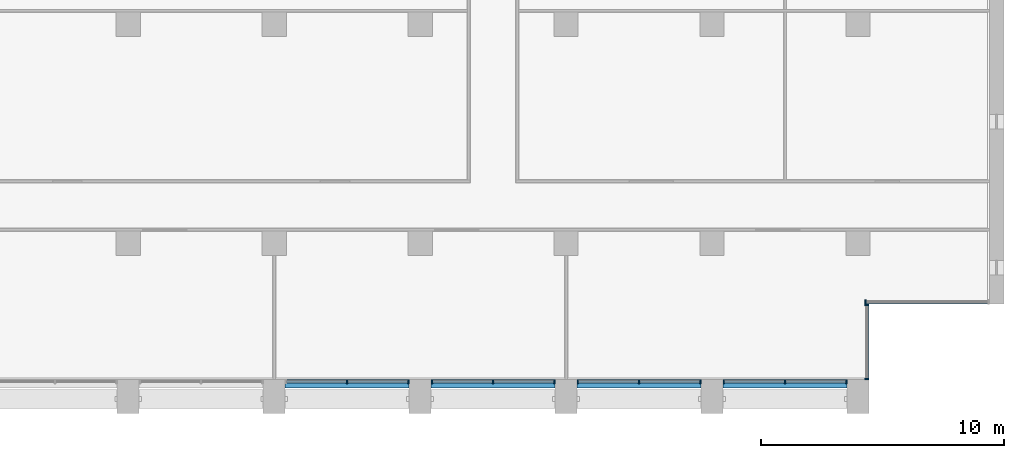
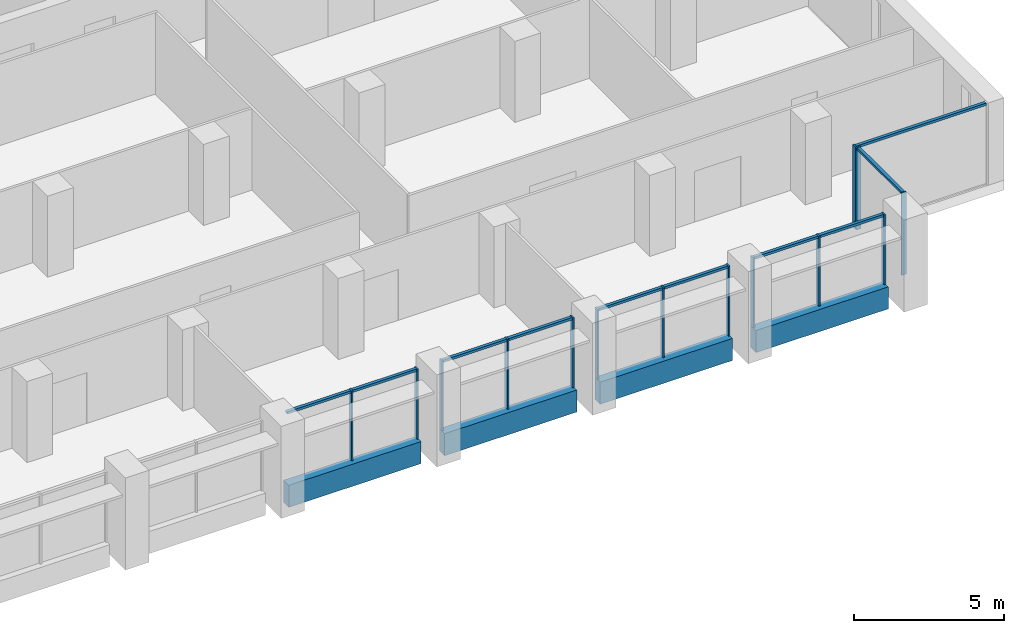
# One storey, part 3 of 17: 24 members, 4 beams, 6 elements without a shape of their own.
"""IFC4 building model written with IfcOpenShell, lengths in metres."""

from ifc_helpers import new_model, si_unit, direction, frame, origin, origin_2d, place, context, subcontext, project, spatial, rectangle, extrude, material, material_profile, profile_set, type_object, element, aggregate, save


model = new_model("IFC4")

# Units and contexts
model_context = context("Model", 3, precision=1e-05, world=origin(), true_north=direction((0.0, 1.0)))
body_context = subcontext(model_context, "Body", "Model", "MODEL_VIEW")
ifc_project = project(units=[si_unit("LENGTHUNIT", "METRE"), si_unit("AREAUNIT", "SQUARE_METRE"), si_unit("VOLUMEUNIT", "CUBIC_METRE"), si_unit("PLANEANGLEUNIT", "RADIAN"), si_unit("MASSUNIT", "GRAM", prefix="KILO")], contexts=[model_context])

# Site, building, storey
site_placement = place(None, origin())
site = spatial("IfcSite", under=ifc_project, at=site_placement, CompositionType="ELEMENT")
building_placement = place(site_placement, origin())
building = spatial("IfcBuilding", under=site, at=building_placement, Name="Calvaro Tower", CompositionType="ELEMENT")
storey_placement = place(building_placement, frame((0.0, 0.0, 211.75)))
storey = spatial("IfcBuildingStorey", under=building, at=storey_placement, Name="L53", CompositionType="ELEMENT", Elevation=211.75)

# Curtain wall, members
ifc_material_1 = material(Name="Anodised aluminium", Category="aluminium")
curtain_wall_type = type_object("IfcCurtainWallType", Name="Office curtain wall, upper zone", PredefinedType="NOTDEFINED", material=ifc_material_1)
curtain_wall_1_placement = place(storey_placement, origin())
curtain_wall_1 = element("IfcCurtainWall", 1, at=curtain_wall_1_placement, inside=storey, type_object=curtain_wall_type, Name="CW3 south curtain wall", PredefinedType="NOTDEFINED")
ifc_material_2 = material(Name="Anodised aluminium", Category="aluminium")
ifc_material_profile_1 = material_profile(ifc_material_2, rectangle(XDim=0.179931640625, YDim=0.06005859375, at=origin_2d()), Name="Mullion S3 60 x 180")
ifc_profile_set_1 = profile_set([ifc_material_profile_1], Name="Anodised aluminium")
member_type_1 = type_object("IfcMemberType", Name="Mullion S3 60 x 180", PredefinedType="MULLION", material=ifc_profile_set_1)
member_1_placement = place(storey_placement, frame((45.0, 4.31005859375, 0.0), z_axis=(0.0, 0.0, 1.0), x_axis=(0.0, 1.0, 0.0)))
member_1 = element("IfcMember", 2, at=member_1_placement, type_object=member_type_1, Name="CW3 mullion 2", PredefinedType="MULLION", context=body_context, shape_type="SweptSolid", body=[
    extrude(rectangle(XDim=0.179931640625, YDim=0.06005859375, at=origin_2d()), origin(), (0.0, 0.0, 1.0), 2.85009765625),
])
member_2_placement = place(storey_placement, frame((47.52001953125, 4.31005859375, 0.0), z_axis=(0.0, 0.0, 1.0), x_axis=(0.0, 1.0, 0.0)))
member_2 = element("IfcMember", 3, at=member_2_placement, type_object=member_type_1, Name="CW3 mullion 3", PredefinedType="MULLION", context=body_context, shape_type="SweptSolid", body=[
    extrude(rectangle(XDim=0.179931640625, YDim=0.06005859375, at=origin_2d()), origin(), (0.0, 0.0, 1.0), 2.85009765625),
])

curtain_wall_2_placement = place(storey_placement, origin())
curtain_wall_2 = element("IfcCurtainWall", 4, at=curtain_wall_2_placement, inside=storey, type_object=curtain_wall_type, Name="CW3 south curtain wall", PredefinedType="NOTDEFINED")
member_3_placement = place(storey_placement, frame((48.47998046875, 4.31005859375, 0.0), z_axis=(0.0, 0.0, 1.0), x_axis=(0.0, 1.0, 0.0)))
member_3 = element("IfcMember", 5, at=member_3_placement, type_object=member_type_1, Name="CW3 mullion 1", PredefinedType="MULLION", context=body_context, shape_type="SweptSolid", body=[
    extrude(rectangle(XDim=0.179931640625, YDim=0.06005859375, at=origin_2d()), origin(), (0.0, 0.0, 1.0), 2.85009765625),
])
member_4_placement = place(storey_placement, frame((51.0, 4.31005859375, 0.0), z_axis=(0.0, 0.0, 1.0), x_axis=(0.0, 1.0, 0.0)))
member_4 = element("IfcMember", 6, at=member_4_placement, type_object=member_type_1, Name="CW3 mullion 2", PredefinedType="MULLION", context=body_context, shape_type="SweptSolid", body=[
    extrude(rectangle(XDim=0.179931640625, YDim=0.06005859375, at=origin_2d()), origin(), (0.0, 0.0, 1.0), 2.85009765625),
])
member_5_placement = place(storey_placement, frame((53.52001953125, 4.31005859375, 0.0), z_axis=(0.0, 0.0, 1.0), x_axis=(0.0, 1.0, 0.0)))
member_5 = element("IfcMember", 7, at=member_5_placement, type_object=member_type_1, Name="CW3 mullion 3", PredefinedType="MULLION", context=body_context, shape_type="SweptSolid", body=[
    extrude(rectangle(XDim=0.179931640625, YDim=0.06005859375, at=origin_2d()), origin(), (0.0, 0.0, 1.0), 2.85009765625),
])

curtain_wall_3_placement = place(storey_placement, origin())
curtain_wall_3 = element("IfcCurtainWall", 8, at=curtain_wall_3_placement, inside=storey, type_object=curtain_wall_type, Name="CW3 south curtain wall", PredefinedType="NOTDEFINED")
member_6_placement = place(storey_placement, frame((54.47998046875, 4.31005859375, 0.0), z_axis=(0.0, 0.0, 1.0), x_axis=(0.0, 1.0, 0.0)))
member_6 = element("IfcMember", 9, at=member_6_placement, type_object=member_type_1, Name="CW3 mullion 1", PredefinedType="MULLION", context=body_context, shape_type="SweptSolid", body=[
    extrude(rectangle(XDim=0.179931640625, YDim=0.06005859375, at=origin_2d()), origin(), (0.0, 0.0, 1.0), 2.85009765625),
])
member_7_placement = place(storey_placement, frame((57.0, 4.31005859375, 0.0), z_axis=(0.0, 0.0, 1.0), x_axis=(0.0, 1.0, 0.0)))
member_7 = element("IfcMember", 10, at=member_7_placement, type_object=member_type_1, Name="CW3 mullion 2", PredefinedType="MULLION", context=body_context, shape_type="SweptSolid", body=[
    extrude(rectangle(XDim=0.179931640625, YDim=0.06005859375, at=origin_2d()), origin(), (0.0, 0.0, 1.0), 2.85009765625),
])
member_8_placement = place(storey_placement, frame((59.52001953125, 4.31005859375, 0.0), z_axis=(0.0, 0.0, 1.0), x_axis=(0.0, 1.0, 0.0)))
member_8 = element("IfcMember", 11, at=member_8_placement, type_object=member_type_1, Name="CW3 mullion 3", PredefinedType="MULLION", context=body_context, shape_type="SweptSolid", body=[
    extrude(rectangle(XDim=0.179931640625, YDim=0.06005859375, at=origin_2d()), origin(), (0.0, 0.0, 1.0), 2.85009765625),
])

curtain_wall_4_placement = place(storey_placement, origin())
curtain_wall_4 = element("IfcCurtainWall", 12, at=curtain_wall_4_placement, inside=storey, type_object=curtain_wall_type, Name="CW3 south curtain wall", PredefinedType="NOTDEFINED")
member_9_placement = place(storey_placement, frame((60.47998046875, 4.31005859375, 0.0), z_axis=(0.0, 0.0, 1.0), x_axis=(0.0, 1.0, 0.0)))
member_9 = element("IfcMember", 13, at=member_9_placement, type_object=member_type_1, Name="CW3 mullion 1", PredefinedType="MULLION", context=body_context, shape_type="SweptSolid", body=[
    extrude(rectangle(XDim=0.179931640625, YDim=0.06005859375, at=origin_2d()), origin(), (0.0, 0.0, 1.0), 2.85009765625),
])
member_10_placement = place(storey_placement, frame((63.0, 4.31005859375, 0.0), z_axis=(0.0, 0.0, 1.0), x_axis=(0.0, 1.0, 0.0)))
member_10 = element("IfcMember", 14, at=member_10_placement, type_object=member_type_1, Name="CW3 mullion 2", PredefinedType="MULLION", context=body_context, shape_type="SweptSolid", body=[
    extrude(rectangle(XDim=0.179931640625, YDim=0.06005859375, at=origin_2d()), origin(), (0.0, 0.0, 1.0), 2.85009765625),
])
member_11_placement = place(storey_placement, frame((65.52001953125, 4.31005859375, 0.0), z_axis=(0.0, 0.0, 1.0), x_axis=(0.0, 1.0, 0.0)))
member_11 = element("IfcMember", 15, at=member_11_placement, type_object=member_type_1, Name="CW3 mullion 3", PredefinedType="MULLION", context=body_context, shape_type="SweptSolid", body=[
    extrude(rectangle(XDim=0.179931640625, YDim=0.06005859375, at=origin_2d()), origin(), (0.0, 0.0, 1.0), 2.85009765625),
])

curtain_wall_5_placement = place(storey_placement, origin())
curtain_wall_5 = element("IfcCurtainWall", 16, at=curtain_wall_5_placement, inside=storey, type_object=curtain_wall_type, Name="CW3 corner curtain wall", PredefinedType="NOTDEFINED")
member_12_placement = place(storey_placement, frame((66.360107421875, 4.429931640625, 0.0), z_axis=(0.0, 0.0, 1.0), x_axis=(-1.0, 0.0, 0.0)))
member_12 = element("IfcMember", 17, at=member_12_placement, type_object=member_type_1, Name="CW3 mullion 1", PredefinedType="MULLION", context=body_context, shape_type="SweptSolid", body=[
    extrude(rectangle(XDim=0.179931640625, YDim=0.06005859375, at=origin_2d()), origin(), (0.0, 0.0, 1.0), 3.35009765625),
])
member_13_placement = place(storey_placement, frame((66.360107421875, 7.469970703125, 0.0), z_axis=(0.0, 0.0, 1.0), x_axis=(-1.0, 0.0, 0.0)))
member_13 = element("IfcMember", 18, at=member_13_placement, type_object=member_type_1, Name="CW3 mullion 2", PredefinedType="MULLION", context=body_context, shape_type="SweptSolid", body=[
    extrude(rectangle(XDim=0.179931640625, YDim=0.06005859375, at=origin_2d()), origin(), (0.0, 0.0, 1.0), 3.35009765625),
])

# Curtain wall, member
curtain_wall_6_placement = place(storey_placement, origin())
curtain_wall_6 = element("IfcCurtainWall", 19, at=curtain_wall_6_placement, inside=storey, type_object=curtain_wall_type, Name="CW3 corner curtain wall", PredefinedType="NOTDEFINED")
member_14_placement = place(storey_placement, frame((66.300048828125, 7.590087890625, 0.0), z_axis=(0.0, 0.0, 1.0), x_axis=(0.0, 1.0, 0.0)))
member_14 = element("IfcMember", 20, at=member_14_placement, type_object=member_type_1, Name="CW3 mullion 1", PredefinedType="MULLION", context=body_context, shape_type="SweptSolid", body=[
    extrude(rectangle(XDim=0.179931640625, YDim=0.06005859375, at=origin_2d()), origin(), (0.0, 0.0, 1.0), 3.35009765625),
])

# Beams
ifc_material_3 = material(Name="Concrete C50/60 precast", Category="concrete")
ifc_material_profile_2 = material_profile(ifc_material_3, rectangle(XDim=0.35009765625, YDim=0.89990234375, at=origin_2d()), Name="RC 350x900")
ifc_profile_set_2 = profile_set([ifc_material_profile_2], Name="Concrete C50/60 precast")
beam_type = type_object("IfcBeamType", Name="Spandrel beam 350x900 C50/60", PredefinedType="SPANDREL", material=ifc_profile_set_2)
for number, where, z_axis, x_axis, name in (
    (21, (42.449951171875, 4.22509765625, -0.449951171875), (1.0, 0.0, 0.0), (0.0, 1.0, 0.0), "Spandrel beam"),
    (22, (48.449951171875, 4.22509765625, -0.449951171875), (1.0, 0.0, 0.0), (0.0, 1.0, 0.0), "Spandrel beam"),
    (23, (54.449951171875, 4.22509765625, -0.449951171875), (1.0, 0.0, 0.0), (0.0, 1.0, 0.0), "Spandrel beam"),
    (24, (60.449951171875, 4.22509765625, -0.449951171875), (1.0, 0.0, 0.0), (0.0, 1.0, 0.0), "Spandrel beam"),
):
    element("IfcBeam", number, at=place(storey_placement, frame(where, z_axis=z_axis, x_axis=x_axis)), inside=storey, type_object=beam_type, Name=name, PredefinedType="SPANDREL", context=body_context, shape_type="SweptSolid", body=[
        extrude(rectangle(XDim=0.35009765625, YDim=0.89990234375, at=origin_2d()), origin(), (0.0, 0.0, 1.0), 5.10009765625),
    ])

# Member
ifc_material_4 = material(Name="Anodised aluminium", Category="aluminium")
ifc_material_profile_3 = material_profile(ifc_material_4, rectangle(XDim=0.1201171875, YDim=0.10009765625, at=origin_2d()), Name="Transom S3 100 x 120")
ifc_profile_set_3 = profile_set([ifc_material_profile_3], Name="Anodised aluminium")
member_type_2 = type_object("IfcMemberType", Name="Transom S3 100 x 120", PredefinedType="USERDEFINED", material=ifc_profile_set_3)
member_15_placement = place(storey_placement, frame((42.510009765625, 4.31005859375, 2.800048828125), z_axis=(1.0, 0.0, 0.0), x_axis=(0.0, 1.0, 0.0)))
member_15 = element("IfcMember", 25, at=member_15_placement, type_object=member_type_2, Name="CW3 transom 1.1", ObjectType="TRANSOM", PredefinedType="USERDEFINED", context=body_context, shape_type="SweptSolid", body=[
    extrude(rectangle(XDim=0.1201171875, YDim=0.10009765625, at=origin_2d()), origin(), (0.0, 0.0, 1.0), 2.4599609375),
])

member_16_placement = place(storey_placement, frame((45.030029296875, 4.31005859375, 2.800048828125), z_axis=(1.0, 0.0, 0.0), x_axis=(0.0, 1.0, 0.0)))
member_16 = element("IfcMember", 26, at=member_16_placement, type_object=member_type_2, Name="CW3 transom 2.1", ObjectType="TRANSOM", PredefinedType="USERDEFINED", context=body_context, shape_type="SweptSolid", body=[
    extrude(rectangle(XDim=0.1201171875, YDim=0.10009765625, at=origin_2d()), origin(), (0.0, 0.0, 1.0), 2.4599609375),
])

aggregate(curtain_wall_1, [member_1, member_2, member_15, member_16])

member_17_placement = place(storey_placement, frame((48.510009765625, 4.31005859375, 2.800048828125), z_axis=(1.0, 0.0, 0.0), x_axis=(0.0, 1.0, 0.0)))
member_17 = element("IfcMember", 27, at=member_17_placement, type_object=member_type_2, Name="CW3 transom 1.1", ObjectType="TRANSOM", PredefinedType="USERDEFINED", context=body_context, shape_type="SweptSolid", body=[
    extrude(rectangle(XDim=0.1201171875, YDim=0.10009765625, at=origin_2d()), origin(), (0.0, 0.0, 1.0), 2.4599609375),
])

member_18_placement = place(storey_placement, frame((51.030029296875, 4.31005859375, 2.800048828125), z_axis=(1.0, 0.0, 0.0), x_axis=(0.0, 1.0, 0.0)))
member_18 = element("IfcMember", 28, at=member_18_placement, type_object=member_type_2, Name="CW3 transom 2.1", ObjectType="TRANSOM", PredefinedType="USERDEFINED", context=body_context, shape_type="SweptSolid", body=[
    extrude(rectangle(XDim=0.1201171875, YDim=0.10009765625, at=origin_2d()), origin(), (0.0, 0.0, 1.0), 2.4599609375),
])

aggregate(curtain_wall_2, [member_3, member_4, member_5, member_17, member_18])

member_19_placement = place(storey_placement, frame((54.510009765625, 4.31005859375, 2.800048828125), z_axis=(1.0, 0.0, 0.0), x_axis=(0.0, 1.0, 0.0)))
member_19 = element("IfcMember", 29, at=member_19_placement, type_object=member_type_2, Name="CW3 transom 1.1", ObjectType="TRANSOM", PredefinedType="USERDEFINED", context=body_context, shape_type="SweptSolid", body=[
    extrude(rectangle(XDim=0.1201171875, YDim=0.10009765625, at=origin_2d()), origin(), (0.0, 0.0, 1.0), 2.4599609375),
])

member_20_placement = place(storey_placement, frame((57.030029296875, 4.31005859375, 2.800048828125), z_axis=(1.0, 0.0, 0.0), x_axis=(0.0, 1.0, 0.0)))
member_20 = element("IfcMember", 30, at=member_20_placement, type_object=member_type_2, Name="CW3 transom 2.1", ObjectType="TRANSOM", PredefinedType="USERDEFINED", context=body_context, shape_type="SweptSolid", body=[
    extrude(rectangle(XDim=0.1201171875, YDim=0.10009765625, at=origin_2d()), origin(), (0.0, 0.0, 1.0), 2.4599609375),
])

aggregate(curtain_wall_3, [member_6, member_7, member_8, member_19, member_20])

member_21_placement = place(storey_placement, frame((60.510009765625, 4.31005859375, 2.800048828125), z_axis=(1.0, 0.0, 0.0), x_axis=(0.0, 1.0, 0.0)))
member_21 = element("IfcMember", 31, at=member_21_placement, type_object=member_type_2, Name="CW3 transom 1.1", ObjectType="TRANSOM", PredefinedType="USERDEFINED", context=body_context, shape_type="SweptSolid", body=[
    extrude(rectangle(XDim=0.1201171875, YDim=0.10009765625, at=origin_2d()), origin(), (0.0, 0.0, 1.0), 2.4599609375),
])

member_22_placement = place(storey_placement, frame((63.030029296875, 4.31005859375, 2.800048828125), z_axis=(1.0, 0.0, 0.0), x_axis=(0.0, 1.0, 0.0)))
member_22 = element("IfcMember", 32, at=member_22_placement, type_object=member_type_2, Name="CW3 transom 2.1", ObjectType="TRANSOM", PredefinedType="USERDEFINED", context=body_context, shape_type="SweptSolid", body=[
    extrude(rectangle(XDim=0.1201171875, YDim=0.10009765625, at=origin_2d()), origin(), (0.0, 0.0, 1.0), 2.4599609375),
])

aggregate(curtain_wall_4, [member_9, member_10, member_11, member_21, member_22])

member_23_placement = place(storey_placement, frame((66.360107421875, 4.4599609375, 3.300048828125), z_axis=(0.0, 1.0, 0.0), x_axis=(-1.0, 0.0, 0.0)))
member_23 = element("IfcMember", 33, at=member_23_placement, type_object=member_type_2, Name="CW3 transom 1.1", ObjectType="TRANSOM", PredefinedType="USERDEFINED", context=body_context, shape_type="SweptSolid", body=[
    extrude(rectangle(XDim=0.1201171875, YDim=0.10009765625, at=origin_2d()), origin(), (0.0, 0.0, 1.0), 2.97998046875),
])

aggregate(curtain_wall_5, [member_12, member_13, member_23])

member_24_placement = place(storey_placement, frame((66.330078125, 7.590087890625, 3.300048828125), z_axis=(1.0, 0.0, 0.0), x_axis=(0.0, 1.0, 0.0)))
member_24 = element("IfcMember", 34, at=member_24_placement, type_object=member_type_2, Name="CW3 transom 1.1", ObjectType="TRANSOM", PredefinedType="USERDEFINED", context=body_context, shape_type="SweptSolid", body=[
    extrude(rectangle(XDim=0.1201171875, YDim=0.10009765625, at=origin_2d()), origin(), (0.0, 0.0, 1.0), 5.010009765625),
])

aggregate(curtain_wall_6, [member_14, member_24])

save(model, "model.ifc")
